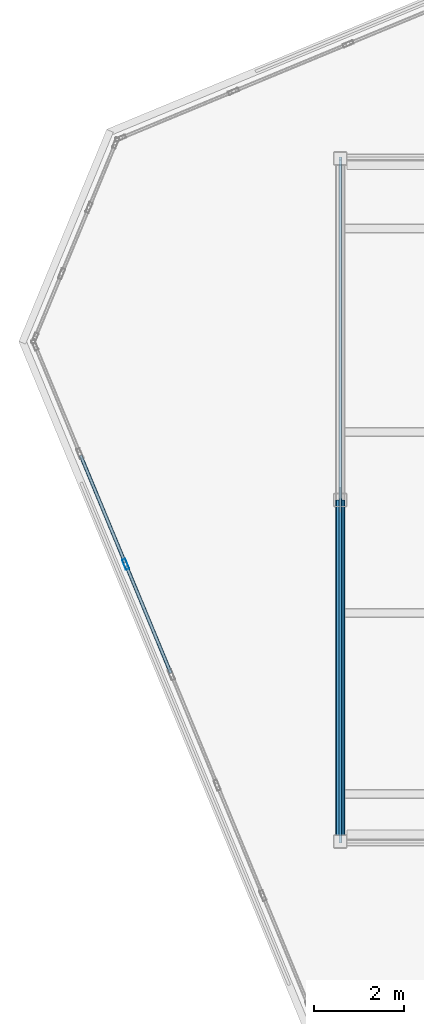
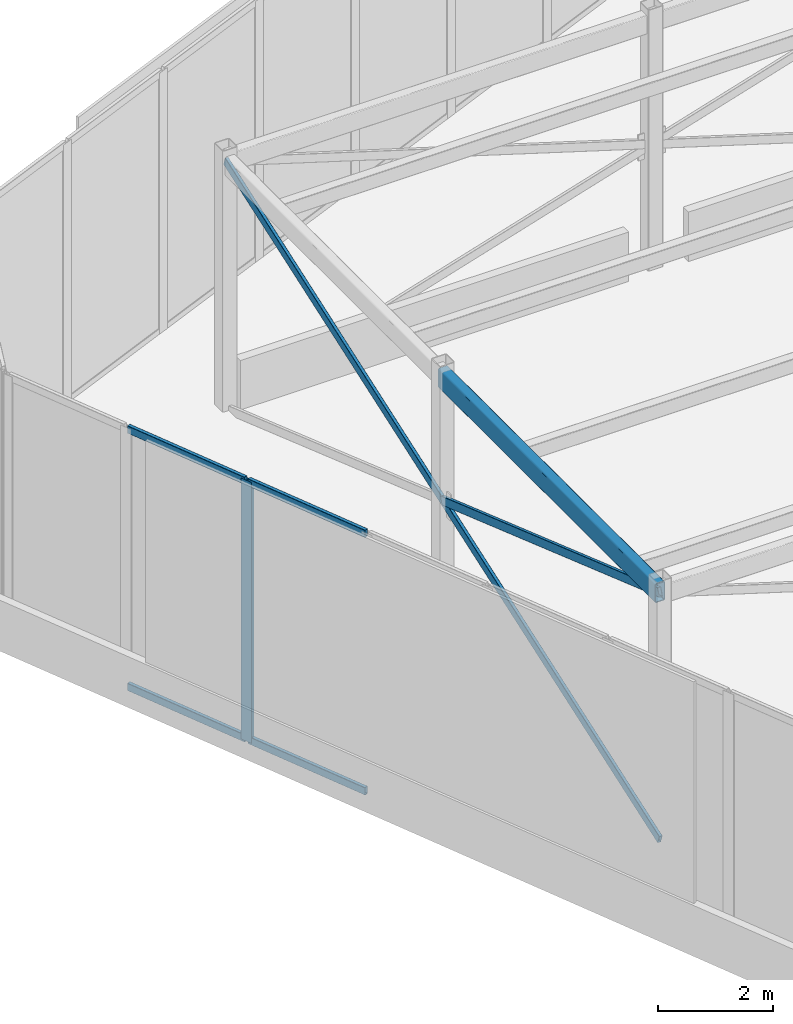
# One storey, part 4 of 12: 8 members, 1 element without a shape of its own.
"""IFC4 building model written with IfcOpenShell, lengths in metres."""

import ifcopenshell
import ifcopenshell.guid

model = None  # the IFC model being written
_history = None  # IfcOwnerHistory: only IFC2X3 demands one
_inside = {}  # id of a spatial element -> (the spatial element, [elements in it])
_under = {}  # id of a project, library or spatial element -> (it, [spatial elements below it])
_declared = {}  # id of a project -> (the project, [libraries it declares])
_typed = {}  # id of a type object -> (the type object, [elements of that type])
_made_of = {}  # id of a material, layer set ... -> (it, [elements and type objects made of it])


def new_model(schema):
    """Start an empty IFC model of exactly this schema.

    Asked for "IFC4X3", IfcOpenShell would pick the latest addendum, in which some entities
    have other attributes; the version numbers below select the first issue.
    IFC2X3 requires an IfcOwnerHistory on every rooted entity: one is made here for all.
    """
    global model, _history
    if schema == "IFC4X3":
        model = ifcopenshell.file(schema_version=(4, 3, 0, 0))
    else:
        model = ifcopenshell.file(schema=schema)
    _inside.clear()
    _under.clear()
    _declared.clear()
    _typed.clear()
    _made_of.clear()
    _history = None
    if model.schema == "IFC2X3":
        org = make("IfcOrganization", Name="unknown")
        user = make(
            "IfcPersonAndOrganization",
            ThePerson=make("IfcPerson", FamilyName="unknown"),
            TheOrganization=org,
        )
        app = make(
            "IfcApplication",
            ApplicationDeveloper=org,
            Version="unknown",
            ApplicationFullName="unknown",
            ApplicationIdentifier="unknown",
        )
        _history = make(
            "IfcOwnerHistory",
            OwningUser=user,
            OwningApplication=app,
            ChangeAction="ADDED",
            CreationDate=0,
        )
    return model


def make(cls, **values):
    """One entity of the class cls with the attributes given. An attribute that is None is left unset."""
    return model.create_entity(
        cls, **{name: value for name, value in values.items() if value is not None}
    )


def rooted(cls, **values):
    """An entity with a GlobalId (a new one), such as an element, a storey or a relation."""
    return make(cls, GlobalId=ifcopenshell.guid.new(), OwnerHistory=_history, **values)


def si_unit(unit_type, name, prefix=None):
    """IfcSIUnit, for example si_unit("LENGTHUNIT", "METRE", prefix="MILLI")."""
    return make("IfcSIUnit", UnitType=unit_type, Prefix=prefix, Name=name)


def assignment(units):
    """IfcUnitAssignment: the units of a project."""
    return None if units is None else make("IfcUnitAssignment", Units=units)


def point(xyz):
    """IfcCartesianPoint."""
    return None if xyz is None else make("IfcCartesianPoint", Coordinates=xyz)


def direction(xyz):
    """IfcDirection."""
    return None if xyz is None else make("IfcDirection", DirectionRatios=xyz)


def frame(location, z_axis=None, x_axis=None):
    """IfcAxis2Placement3D, a coordinate frame: its origin and axes. An axis left out is left unset."""
    return make(
        "IfcAxis2Placement3D",
        Location=point(location),
        Axis=direction(z_axis),
        RefDirection=direction(x_axis),
    )


def frame_2d(location, x_axis=None):
    """IfcAxis2Placement2D, a coordinate frame in the plane: its origin and x axis."""
    return make(
        "IfcAxis2Placement2D", Location=point(location), RefDirection=direction(x_axis)
    )


def origin():
    """The frame at (0, 0, 0) with its axes left unset."""
    return frame((0.0, 0.0, 0.0))


def origin_2d():
    """The frame at (0, 0) in the plane with its x axis left unset."""
    return frame_2d((0.0, 0.0))


def place(relative_to, where):
    """IfcLocalPlacement: puts the frame where relative to a parent placement (None: the world)."""
    return make(
        "IfcLocalPlacement", PlacementRelTo=relative_to, RelativePlacement=where
    )


def context(
    kind, dimensions, precision=None, world=None, true_north=None, identifier=None
):
    """IfcGeometricRepresentationContext, for example the 3D "Model" context."""
    return make(
        "IfcGeometricRepresentationContext",
        ContextIdentifier=identifier,
        ContextType=kind,
        CoordinateSpaceDimension=dimensions,
        Precision=precision,
        WorldCoordinateSystem=world,
        TrueNorth=true_north,
    )


def subcontext(parent, identifier, kind, view, scale=None):
    """IfcGeometricRepresentationSubContext, for example "Body" below "Model"."""
    return make(
        "IfcGeometricRepresentationSubContext",
        ContextIdentifier=identifier,
        ContextType=kind,
        ParentContext=parent,
        TargetScale=scale,
        TargetView=view,
    )


def project(units=None, contexts=None):
    """IfcProject with its units and contexts."""
    return rooted(
        "IfcProject",
        Name="project",
        RepresentationContexts=contexts,
        UnitsInContext=assignment(units),
    )


def spatial(cls, under=None, at=None, **own):
    """A site, building, storey or space (cls), placed at a placement, below another one or the project."""
    s = rooted(cls, ObjectPlacement=at, **own)
    if under is not None:
        _under.setdefault(under.id(), (under, []))[1].append(s)
    return s


def profile(cls, at=None, kind="AREA", **sizes):
    """A parametric profile (cls). Its sizes go by their IFC names, for example OverallWidth=200.0."""
    return make(cls, ProfileType=kind, Position=at, **sizes)


def hollow_rectangle(**sizes):
    """IfcRectangleHollowProfileDef."""
    return profile("IfcRectangleHollowProfileDef", **sizes)


def extrude(swept, where, along, depth):
    """IfcExtrudedAreaSolid: the profile swept, set in the frame where, extruded along a direction by depth."""
    return make(
        "IfcExtrudedAreaSolid",
        SweptArea=swept,
        Position=where,
        ExtrudedDirection=direction(along),
        Depth=depth,
    )


def shape(context_of_items, identifier, shape_type, items):
    """IfcShapeRepresentation: the items that make up one representation, for example the "Body"."""
    return make(
        "IfcShapeRepresentation",
        ContextOfItems=context_of_items,
        RepresentationIdentifier=identifier,
        RepresentationType=shape_type,
        Items=items,
    )


def source(mapping_origin, context_of_items, identifier, shape_type, items):
    """IfcRepresentationMap: a shape defined once, which mapped items show again and again."""
    return make(
        "IfcRepresentationMap",
        MappingOrigin=mapping_origin,
        MappedRepresentation=shape(context_of_items, identifier, shape_type, items),
    )


def transform(
    local_origin,
    x_axis=None,
    y_axis=None,
    z_axis=None,
    scale=None,
    scale2=None,
    scale3=None,
    uniform=True,
):
    """IfcCartesianTransformationOperator3D, or its non-uniform kind. x_axis, y_axis, z_axis: its Axis1, 2, 3."""
    if uniform:
        return make(
            "IfcCartesianTransformationOperator3D",
            Axis1=direction(x_axis),
            Axis2=direction(y_axis),
            LocalOrigin=point(local_origin),
            Scale=scale,
            Axis3=direction(z_axis),
        )
    return make(
        "IfcCartesianTransformationOperator3DnonUniform",
        Axis1=direction(x_axis),
        Axis2=direction(y_axis),
        LocalOrigin=point(local_origin),
        Scale=scale,
        Axis3=direction(z_axis),
        Scale2=scale2,
        Scale3=scale3,
    )


def mapped(mapping_source, mapping_target):
    """IfcMappedItem: shows the shape of a source again, moved by a transform."""
    return make(
        "IfcMappedItem", MappingSource=mapping_source, MappingTarget=mapping_target
    )


def material(Name=None, Category=None):
    """IfcMaterial."""
    return make("IfcMaterial", Name=Name, Category=Category)


def material_profile(
    of_material, cross_section, Name=None, Category=None, Priority=None
):
    """IfcMaterialProfile: a cross section and its material."""
    return make(
        "IfcMaterialProfile",
        Name=Name,
        Material=of_material,
        Profile=cross_section,
        Priority=Priority,
        Category=Category,
    )


def profile_set(profiles, Name=None, composite=None):
    """IfcMaterialProfileSet."""
    return make(
        "IfcMaterialProfileSet",
        Name=Name,
        MaterialProfiles=profiles,
        CompositeProfile=composite,
    )


def made_of(thing, what):
    """Note that an element or type object is made of a material, layer set ...; save() writes the relation."""
    if what is not None:
        _made_of.setdefault(what.id(), (what, []))[1].append(thing)
    return thing


def type_object(cls, material=None, **own):
    """A type object (cls), such as IfcWallType, which elements share."""
    return made_of(rooted(cls, **own), material)


def element(
    cls,
    number,
    at=None,
    inside=None,
    cuts=None,
    type_object=None,
    material=None,
    context=None,
    identifier="Body",
    shape_type=None,
    held_by="IfcProductDefinitionShape",
    body=None,
    shapes=None,
    **own,
):
    """One element of the class cls, such as IfcWall. Its Tag is "e" and its number.

    at: its placement. inside: the storey or other place that contains it. cuts: it is an
    opening in that element (IfcRelVoidsElement). A single representation is given by context,
    identifier, shape_type and body (its items); several are given by shapes. held_by: the class
    of the entity that holds the representations. save() writes the other relations.
    """
    e = rooted(cls, Tag="e%d" % number, ObjectPlacement=at, **own)
    if body is not None:
        shapes = [shape(context, identifier, shape_type, body)]
    if shapes is not None:
        e.Representation = make(held_by, Representations=shapes)
    if inside is not None:
        _inside.setdefault(inside.id(), (inside, []))[1].append(e)
    if cuts is not None:
        rooted(
            "IfcRelVoidsElement", RelatingBuildingElement=cuts, RelatedOpeningElement=e
        )
    if type_object is not None:
        _typed.setdefault(type_object.id(), (type_object, []))[1].append(e)
    return made_of(e, material)


def aggregate(whole, parts):
    """IfcRelAggregates: a whole, such as a stair, and the parts it consists of."""
    return rooted("IfcRelAggregates", RelatingObject=whole, RelatedObjects=parts)


def save(model, path):
    """Write the relations noted so far, then the file.

    IfcRelAggregates (storeys below a building ...), IfcRelContainedInSpatialStructure (elements
    in a storey), IfcRelDefinesByType, IfcRelAssociatesMaterial and IfcRelDeclares: one each for
    every whole, place, type object, material and project.
    """
    for whole, parts in _under.values():
        aggregate(whole, parts)
    for where, things in _inside.values():
        rooted(
            "IfcRelContainedInSpatialStructure",
            RelatedElements=things,
            RelatingStructure=where,
        )
    for kind, things in _typed.values():
        rooted("IfcRelDefinesByType", RelatedObjects=things, RelatingType=kind)
    for what, things in _made_of.values():
        rooted("IfcRelAssociatesMaterial", RelatedObjects=things, RelatingMaterial=what)
    for by, libraries in _declared.values():
        rooted("IfcRelDeclares", RelatingContext=by, RelatedDefinitions=libraries)
    model.write(path)


model = new_model("IFC4")

# Units and contexts
model_context = context("Model", 3, precision=1e-05, world=origin(), true_north=direction((0.0, 1.0)))
body_context = subcontext(model_context, "Body", "Model", "MODEL_VIEW")
ifc_project = project(units=[si_unit("LENGTHUNIT", "METRE"), si_unit("AREAUNIT", "SQUARE_METRE"), si_unit("VOLUMEUNIT", "CUBIC_METRE"), si_unit("PLANEANGLEUNIT", "RADIAN"), si_unit("MASSUNIT", "GRAM", prefix="KILO")], contexts=[model_context])

# Site, building, storey
site_placement = place(None, origin())
site = spatial("IfcSite", under=ifc_project, at=site_placement, CompositionType="ELEMENT")
building_placement = place(site_placement, origin())
building = spatial("IfcBuilding", under=site, at=building_placement, Name="Torre Montelarca", CompositionType="ELEMENT")
storey_placement = place(building_placement, frame((0.0, 0.0, 370.60009765625)))
storey = spatial("IfcBuildingStorey", under=building, at=storey_placement, Name="RF", CompositionType="ELEMENT", Elevation=370.60009765625)

# Member
ifc_material_1 = material(Name="Steel ASTM A500 Grade C", Category="steel")
ifc_material_profile_1 = material_profile(ifc_material_1, hollow_rectangle(XDim=0.203125, YDim=0.406494140625, WallThickness=0.015869140625, InnerFilletRadius=0.015869140625, OuterFilletRadius=0.03173828125, at=origin_2d()), Name="HSS406X203X15.9", Category="steel")
ifc_profile_set_1 = profile_set([ifc_material_profile_1], Name="Steel ASTM A500 Grade C")
member_type_1 = type_object("IfcMemberType", Name="MB-CF-HSS406-EXT", PredefinedType="USERDEFINED", material=ifc_profile_set_1)
shared_shape_1 = source(origin(), body_context, "Body", "SweptSolid", [
    extrude(hollow_rectangle(XDim=0.203125, YDim=0.406494140625, WallThickness=0.015869140625, InnerFilletRadius=0.015869140625, OuterFilletRadius=0.03173828125, at=origin_2d()), origin(), (0.0, 0.0, 1.0), 7.550048828125),
])
member_1_placement = place(storey_placement, frame((9.449951171875, 24.449951171875, 5.199951171875), z_axis=(0.0, 1.0, 0.0), x_axis=(-1.0, 0.0, 0.0)))
element("IfcMember", 1, at=member_1_placement, inside=storey, type_object=member_type_1, Name="RF Crown Frame Ring Beam 05", ObjectType="CROWN FRAME", PredefinedType="USERDEFINED", context=body_context, shape_type="MappedRepresentation", body=[
    mapped(shared_shape_1, transform((0.0, 0.0, 0.0), scale=1.0)),
])

# Curtain wall, members
ifc_material_2 = material(Name="Amber translucent laminated glass", Category="glass")
curtain_wall_type = type_object("IfcCurtainWallType", Name="CW-SYS-LANT", PredefinedType="USERDEFINED", material=ifc_material_2)
curtain_wall_placement = place(storey_placement, origin())
curtain_wall = element("IfcCurtainWall", 2, at=curtain_wall_placement, inside=storey, type_object=curtain_wall_type, Name="RF Crown Translucent Amber Lantern Curtain Wall 01-1", ObjectType="TRANSLUCENT LANTERN", PredefinedType="USERDEFINED")
ifc_material_3 = material(Name="Anodised aluminium AA 6063-T6", Category="aluminium")
ifc_material_profile_2 = material_profile(ifc_material_3, hollow_rectangle(XDim=0.080078125, YDim=0.239990234375, WallThickness=0.0048828125, InnerFilletRadius=0.0048828125, OuterFilletRadius=0.010009765625, at=origin_2d()), Name="ALU80X240X5", Category="aluminium")
ifc_profile_set_2 = profile_set([ifc_material_profile_2], Name="Anodised aluminium AA 6063-T6")
member_type_2 = type_object("IfcMemberType", Name="CWM-ALU240", PredefinedType="MULLION", material=ifc_profile_set_2)
shared_shape_2 = source(origin(), body_context, "Body", "SweptSolid", [
    extrude(hollow_rectangle(XDim=0.080078125, YDim=0.239990234375, WallThickness=0.0048828125, InnerFilletRadius=0.0048828125, OuterFilletRadius=0.010009765625, at=origin_2d()), origin(), (0.0, 0.0, 1.0), 5.539794921875),
])
member_2_placement = place(storey_placement, frame((4.705322265625, 30.5791015625, 0.0), z_axis=(0.0, 0.0, 1.0), x_axis=(0.923878679496, 0.382685491719, 0.0)))
member_2 = element("IfcMember", 3, at=member_2_placement, type_object=member_type_2, Name="CW mullion 3", PredefinedType="MULLION", context=body_context, shape_type="MappedRepresentation", body=[
    mapped(shared_shape_2, transform((0.0, 0.0, 0.0), scale=1.0)),
])
ifc_material_profile_3 = material_profile(ifc_material_3, hollow_rectangle(XDim=0.074951171875, YDim=0.159912109375, WallThickness=0.0048828125, InnerFilletRadius=0.0048828125, OuterFilletRadius=0.010009765625, at=origin_2d()), Name="ALU75X160X5", Category="aluminium")
ifc_profile_set_3 = profile_set([ifc_material_profile_3], Name="Anodised aluminium AA 6063-T6")
member_type_3 = type_object("IfcMemberType", Name="CWT-ALU160", PredefinedType="USERDEFINED", material=ifc_profile_set_3)
shared_shape_3 = source(origin(), body_context, "Body", "SweptSolid", [
    extrude(hollow_rectangle(XDim=0.074951171875, YDim=0.159912109375, WallThickness=0.0048828125, InnerFilletRadius=0.0048828125, OuterFilletRadius=0.010009765625, at=origin_2d()), origin(), (0.0, 0.0, 1.0), 2.56298828125),
])
member_3_placement = place(storey_placement, frame((3.709228515625, 32.98388671875, 0.037353515625), z_axis=(0.382727552094, -0.923861256287, 0.0), x_axis=(0.923861256287, 0.382727552094, 0.0)))
member_3 = element("IfcMember", 4, at=member_3_placement, type_object=member_type_3, Name="CW transom 2.1", ObjectType="TRANSOM", PredefinedType="USERDEFINED", context=body_context, shape_type="MappedRepresentation", body=[
    mapped(shared_shape_3, transform((0.0, 0.0, 0.0), scale=1.0)),
])
member_4_placement = place(storey_placement, frame((3.709228515625, 32.98388671875, 5.50244140625), z_axis=(0.382727552094, -0.923861256287, 0.0), x_axis=(0.923861256287, 0.382727552094, 0.0)))
member_4 = element("IfcMember", 5, at=member_4_placement, type_object=member_type_3, Name="CW transom 2.2", ObjectType="TRANSOM", PredefinedType="USERDEFINED", context=body_context, shape_type="MappedRepresentation", body=[
    mapped(shared_shape_3, transform((0.0, 0.0, 0.0), scale=1.0)),
])
member_5_placement = place(storey_placement, frame((4.720703125, 30.542236328125, 0.037353515625), z_axis=(0.382646247132, -0.923894934262, 0.0), x_axis=(0.923894934262, 0.382646247132, 0.0)))
member_5 = element("IfcMember", 6, at=member_5_placement, type_object=member_type_3, Name="CW transom 3.1", ObjectType="TRANSOM", PredefinedType="USERDEFINED", context=body_context, shape_type="MappedRepresentation", body=[
    mapped(shared_shape_3, transform((0.0, 0.0, 0.0), scale=1.0)),
])
member_6_placement = place(storey_placement, frame((4.720703125, 30.542236328125, 5.50244140625), z_axis=(0.382646247132, -0.923894934262, 0.0), x_axis=(0.923894934262, 0.382646247132, 0.0)))
member_6 = element("IfcMember", 7, at=member_6_placement, type_object=member_type_3, Name="CW transom 3.2", ObjectType="TRANSOM", PredefinedType="USERDEFINED", context=body_context, shape_type="MappedRepresentation", body=[
    mapped(shared_shape_3, transform((0.0, 0.0, 0.0), scale=1.0)),
])
aggregate(curtain_wall, [member_2, member_3, member_4, member_5, member_6])

# Members
ifc_material_4 = material(Name="Architectural perforated terracotta ceramic on aluminium AA 6063-T6", Category="masonry")
ifc_material_profile_4 = material_profile(ifc_material_4, hollow_rectangle(XDim=0.06494140625, YDim=0.179931640625, WallThickness=0.00390625, InnerFilletRadius=0.00390625, OuterFilletRadius=0.008056640625, at=origin_2d()), Name="ALU65X180X4", Category="masonry")
ifc_profile_set_4 = profile_set([ifc_material_profile_4], Name="Architectural perforated terracotta ceramic on aluminium AA 6063-T6")
member_type_4 = type_object("IfcMemberType", Name="SCR-DIAG-RIB", PredefinedType="USERDEFINED", material=ifc_profile_set_4)
shared_shape_4 = source(origin(), body_context, "Body", "SweptSolid", [
    extrude(hollow_rectangle(XDim=0.06494140625, YDim=0.179931640625, WallThickness=0.00390625, InnerFilletRadius=0.00390625, OuterFilletRadius=0.008056640625, at=origin_2d()), origin(), (0.0, 0.0, 1.0), 15.98681640625),
])
member_7_placement = place(storey_placement, frame((9.449951171875, 24.449951171875, -0.050048828125), z_axis=(0.0, 0.944539641462, 0.328397420372), x_axis=(-1.0, 0.0, 0.0)))
element("IfcMember", 8, at=member_7_placement, inside=storey, type_object=member_type_4, Name="RF Crown Continuous Diagonal Brace WA", ObjectType="SOLAR SCREEN", PredefinedType="USERDEFINED", context=body_context, shape_type="MappedRepresentation", body=[
    mapped(shared_shape_4, transform((0.0, 0.0, 0.0), scale=1.0)),
])
shared_shape_5 = source(origin(), body_context, "Body", "SweptSolid", [
    extrude(hollow_rectangle(XDim=0.06494140625, YDim=0.179931640625, WallThickness=0.00390625, InnerFilletRadius=0.00390625, OuterFilletRadius=0.008056640625, at=origin_2d()), origin(), (0.0, 0.0, 1.0), 7.993408203125),
])
member_8_placement = place(storey_placement, frame((9.449951171875, 32.0, 2.574951171875), z_axis=(0.0, -0.944539641462, 0.328397420372), x_axis=(1.0, 0.0, 0.0)))
element("IfcMember", 9, at=member_8_placement, inside=storey, type_object=member_type_4, Name="RF Crown Split Diagonal Brace Upper WB2", ObjectType="SOLAR SCREEN", PredefinedType="USERDEFINED", context=body_context, shape_type="MappedRepresentation", body=[
    mapped(shared_shape_5, transform((0.0, 0.0, 0.0), scale=1.0)),
])

save(model, "model.ifc")
